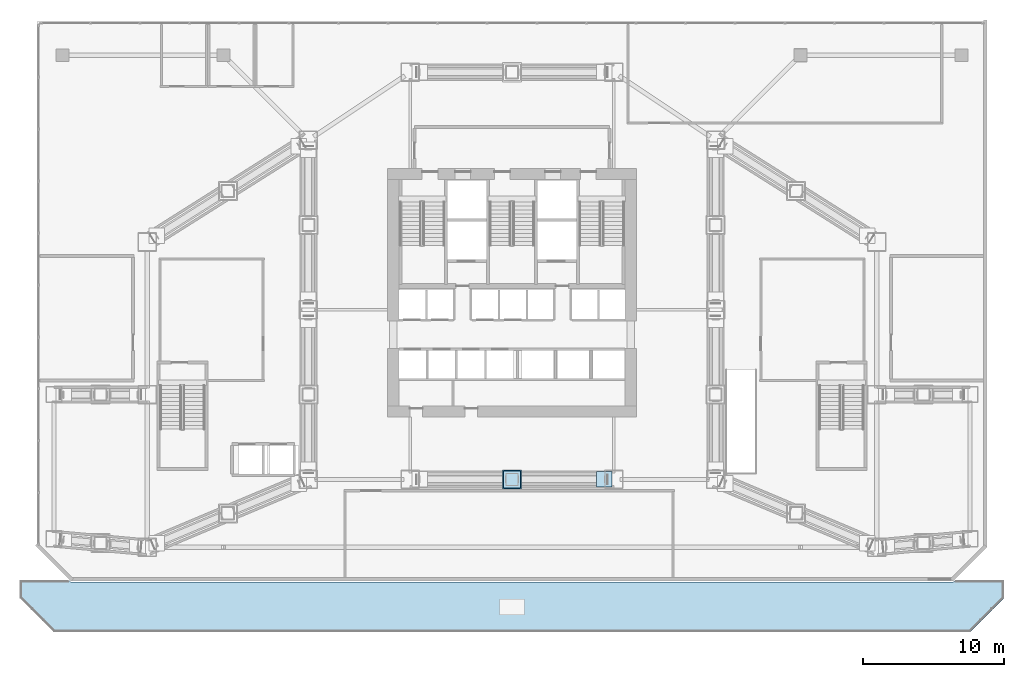
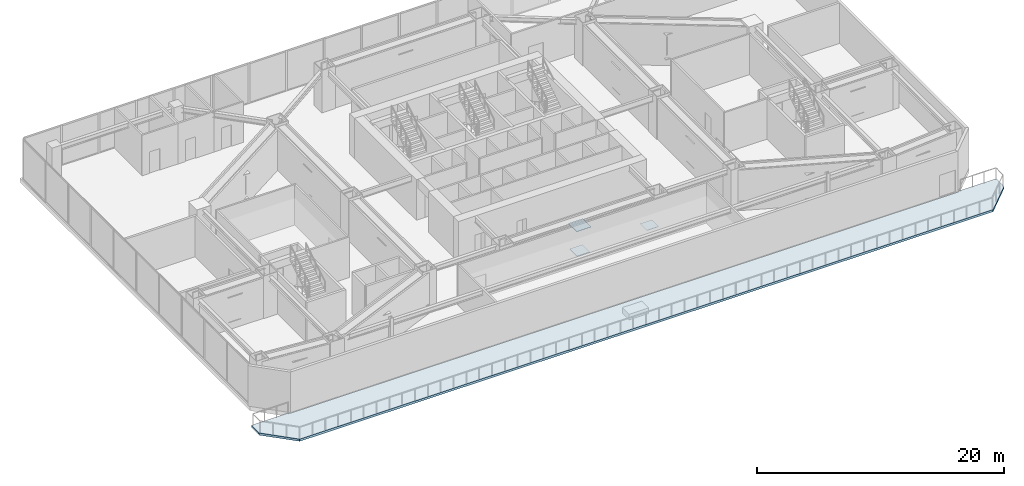
# One storey, part 21 of 39: 3 plates, 1 slab.
"""IFC4 building model written with IfcOpenShell, lengths in metres."""

from ifc_helpers import new_model, si_unit, direction, frame, origin, origin_2d, place, context, subcontext, project, spatial, polyline, rectangle, outline, extrude, material, layer, layer_set, type_object, element, save


model = new_model("IFC4")

# Units and contexts
model_context = context("Model", 3, precision=1e-05, world=origin(), true_north=direction((0.0, 1.0)))
body_context = subcontext(model_context, "Body", "Model", "MODEL_VIEW")
ifc_project = project(units=[si_unit("LENGTHUNIT", "METRE"), si_unit("AREAUNIT", "SQUARE_METRE"), si_unit("VOLUMEUNIT", "CUBIC_METRE"), si_unit("PLANEANGLEUNIT", "RADIAN"), si_unit("MASSUNIT", "GRAM", prefix="KILO")], contexts=[model_context])

# Site, building, storey
site_placement = place(None, origin())
site = spatial("IfcSite", under=ifc_project, at=site_placement, CompositionType="ELEMENT")
building_placement = place(site_placement, origin())
building = spatial("IfcBuilding", under=site, at=building_placement, Name="Haolan Belvedere Tower", CompositionType="ELEMENT")
storey_placement = place(building_placement, frame((0.0, 0.0, 19.800048828125)))
storey = spatial("IfcBuildingStorey", under=building, at=storey_placement, Name="L04", CompositionType="ELEMENT", Elevation=19.800048828125)

# Plates
ifc_material_1 = material(Name="Steel Q420GJC", Category="steel")
ifc_layer_1 = layer(ifc_material_1, 0.034912109375, Name="Steel Q420GJC")
ifc_layer_set_1 = layer_set([ifc_layer_1], Name="Steel Q420GJC")
plate_type = type_object("IfcPlateType", Name="PL-NODE-NP01", PredefinedType="USERDEFINED", material=ifc_layer_set_1)
plate_1_placement = place(storey_placement, frame((44.909912109375, 21.60009765625, 0.92236328125), z_axis=(0.0, 0.0, 1.0), x_axis=(1.0, 0.0, 0.0)))
element("IfcPlate", 1, at=plate_1_placement, inside=storey, type_object=plate_type, Name="NP-01 transfer truss base gusset plate TT-T3-SM.2", ObjectType="GUSSET", PredefinedType="USERDEFINED", context=body_context, shape_type="SweptSolid", body=[
    extrude(rectangle(XDim=1.10009765625, YDim=1.10009765625, at=origin_2d()), origin(), (0.0, 0.0, 1.0), 0.034912109375),
])
plate_2_placement = place(storey_placement, frame((38.39990234375, 21.60009765625, 3.20263671875), z_axis=(0.0, 0.0, 1.0), x_axis=(1.0, 0.0, 0.0)))
element("IfcPlate", 2, at=plate_2_placement, inside=storey, type_object=plate_type, Name="NP-01 transfer truss node assembly TT-T3-SM", ObjectType="GUSSET", PredefinedType="USERDEFINED", context=body_context, shape_type="SweptSolid", body=[
    extrude(rectangle(XDim=1.35009765625, YDim=1.35009765625, at=origin_2d()), origin(), (0.0, 0.0, 1.0), 0.034912109375),
])
plate_3_placement = place(storey_placement, frame((38.39990234375, 21.60009765625, 0.70263671875), z_axis=(0.0, 0.0, 1.0), x_axis=(1.0, 0.0, 0.0)))
element("IfcPlate", 3, at=plate_3_placement, inside=storey, type_object=plate_type, Name="NP-01 transfer truss lower chord node plate TT-T3-SM", ObjectType="GUSSET", PredefinedType="USERDEFINED", context=body_context, shape_type="SweptSolid", body=[
    extrude(rectangle(XDim=1.199951171875, YDim=1.199951171875, at=origin_2d()), origin(), (0.0, 0.0, 1.0), 0.034912109375),
])

# Slab
ifc_material_2 = material(Name="Concrete C40/50", Category="concrete")
ifc_layer_2 = layer(ifc_material_2, 0.219970703125, Name="Concrete C40/50")
ifc_layer_set_2 = layer_set([ifc_layer_2], Name="Concrete C40/50")
slab_type = type_object("IfcSlabType", Name="SL-TER-220", PredefinedType="FLOOR", material=ifc_layer_set_2)
slab_placement = place(storey_placement, frame((0.0, 0.0, -0.239990234375)))
element("IfcSlab", 4, at=slab_placement, inside=storey, type_object=slab_type, Name="L04 planted garden terrace slab 1", PredefinedType="FLOOR", context=body_context, shape_type="SweptSolid", body=[
    extrude(outline(polyline([(73.199951171875, 14.449951171875), (69.720703125, 14.449951171875), (69.63671875, 14.365966796875), (69.63427734375, 14.36376953125), (69.629638671875, 14.35986328125), (69.62548828125, 14.357177734375), (69.621337890625, 14.35498046875), (69.61669921875, 14.35302734375), (69.612060546875, 14.3515625), (69.607421875, 14.3505859375), (69.601318359375, 14.35009765625), (69.59814453125, 14.35009765625), (7.201904296875, 14.35009765625), (7.198486328125, 14.35009765625), (7.192626953125, 14.3505859375), (7.18798828125, 14.3515625), (7.18310546875, 14.35302734375), (7.1787109375, 14.35498046875), (7.17431640625, 14.357177734375), (7.17041015625, 14.35986328125), (7.165771484375, 14.36376953125), (7.163330078125, 14.365966796875), (7.0791015625, 14.449951171875), (3.60009765625, 14.449951171875), (3.60009765625, 13.199951171875), (6.0, 10.800048828125), (70.800048828125, 10.800048828125), (73.199951171875, 13.199951171875), (73.199951171875, 14.449951171875)])), origin(), (0.0, 0.0, 1.0), 0.219970703125),
])

save(model, "model.ifc")
